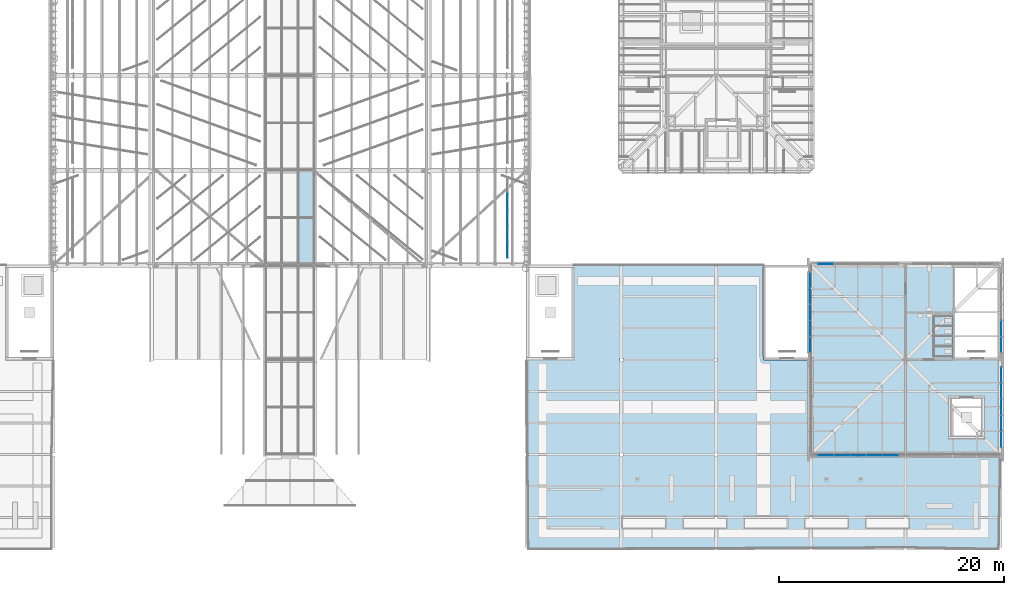
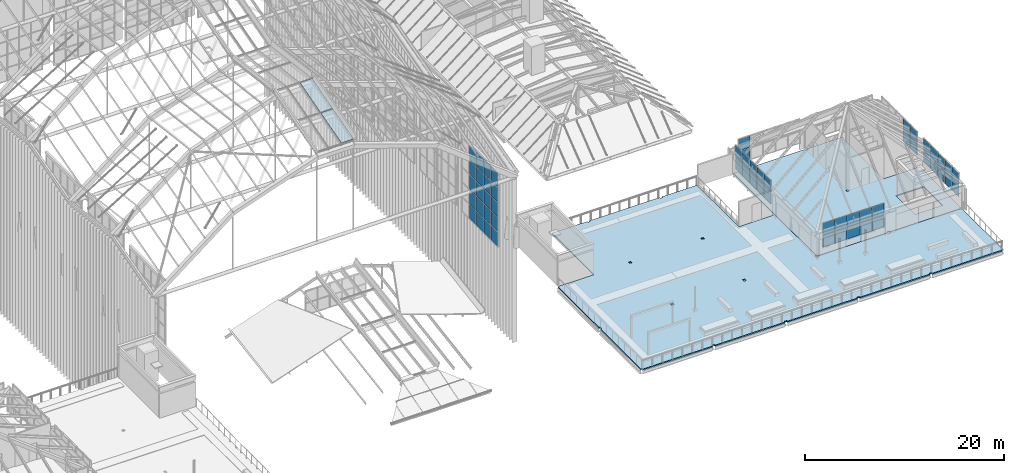
# One storey, part 73 of 126: 58 plates, 2 slabs, 6 elements without a shape of their own.
"""IFC4 building model written with IfcOpenShell, lengths in metres."""

from ifc_helpers import new_model, si_unit, direction, frame, origin, origin_2d, place, context, subcontext, project, spatial, polyline, rectangle, outline, extrude, material, layer, layer_set, type_object, element, aggregate, save


model = new_model("IFC4")

# Units and contexts
model_context = context("Model", 3, precision=1e-05, world=origin(), true_north=direction((0.0, 1.0)))
body_context = subcontext(model_context, "Body", "Model", "MODEL_VIEW")
ifc_project = project(units=[si_unit("LENGTHUNIT", "METRE"), si_unit("AREAUNIT", "SQUARE_METRE"), si_unit("VOLUMEUNIT", "CUBIC_METRE"), si_unit("PLANEANGLEUNIT", "RADIAN"), si_unit("MASSUNIT", "GRAM", prefix="KILO")], contexts=[model_context])

# Site, building, storey
site_placement = place(None, origin())
site = spatial("IfcSite", under=ifc_project, at=site_placement, CompositionType="ELEMENT")
building_placement = place(site_placement, origin())
building = spatial("IfcBuilding", under=site, at=building_placement, Name="Sava Quay Ferry Terminal", CompositionType="ELEMENT")
storey_placement = place(building_placement, frame((0.0, 0.0, 15.0)))
storey = spatial("IfcBuildingStorey", under=building, at=storey_placement, Name="L03", CompositionType="ELEMENT", Elevation=15.0)

# Slabs
ifc_material_1 = material(Name="Concrete C30/37", Category="concrete")
ifc_layer_1 = layer(ifc_material_1, 0.1298828125)
ifc_layer_set_1 = layer_set([ifc_layer_1], Name="Concrete C30/37")
slab_type_1 = type_object("IfcSlabType", Name="Composite floor slab 130", PredefinedType="FLOOR", material=ifc_layer_set_1)
slab_1_placement = place(storey_placement, frame((0.0, 0.0, -0.1298828125)))
element("IfcSlab", 1, at=slab_1_placement, inside=storey, type_object=slab_type_1, Name="P floor slab L03", PredefinedType="FLOOR", context=body_context, shape_type="SweptSolid", body=[
    extrude(outline(polyline([(125.860107421875, 33.739990234375), (125.860107421875, 33.60009765625), (117.739990234375, 33.60009765625), (117.739990234375, 33.739990234375), (117.4599609375, 33.739990234375), (117.4599609375, 33.60009765625), (109.340087890625, 33.60009765625), (109.340087890625, 33.739990234375), (109.199951171875, 33.739990234375), (109.199951171875, 42.0), (109.199951171875, 50.39990234375), (117.4599609375, 50.39990234375), (117.4599609375, 50.260009765625), (117.739990234375, 50.260009765625), (117.739990234375, 50.39990234375), (121.800048828125, 50.39990234375), (121.800048828125, 42.0), (126.0, 42.0), (126.0, 33.739990234375), (125.860107421875, 33.739990234375)]), holes=[polyline([(121.39990234375, 35.0), (124.60009765625, 35.0), (124.60009765625, 38.800048828125), (121.39990234375, 38.800048828125), (121.39990234375, 35.0)]), polyline([(117.4599609375, 41.860107421875), (117.739990234375, 41.860107421875), (117.739990234375, 42.139892578125), (117.4599609375, 42.139892578125), (117.4599609375, 41.860107421875)])]), origin(), (0.0, 0.0, 1.0), 0.1298828125),
])
ifc_material_2 = material(Name="Concrete C30/37", Category="concrete")
ifc_layer_2 = layer(ifc_material_2, 0.14990234375)
ifc_layer_set_2 = layer_set([ifc_layer_2], Name="Concrete C30/37")
slab_type_2 = type_object("IfcSlabType", Name="Composite terrace slab 150", PredefinedType="ROOF", material=ifc_layer_set_2)
slab_2_placement = place(storey_placement, frame((0.0, 0.0, -0.14990234375)))
element("IfcSlab", 2, at=slab_2_placement, inside=storey, type_object=slab_type_2, Name="TP terrace slab L03", PredefinedType="ROOF", context=body_context, shape_type="SweptSolid", body=[
    extrude(outline(polyline([(117.739990234375, 25.199951171875), (117.739990234375, 25.340087890625), (117.4599609375, 25.340087890625), (117.4599609375, 25.199951171875), (109.340087890625, 25.199951171875), (109.340087890625, 25.340087890625), (109.06005859375, 25.340087890625), (109.06005859375, 25.199951171875), (100.93994140625, 25.199951171875), (100.93994140625, 25.340087890625), (100.659912109375, 25.340087890625), (100.659912109375, 25.199951171875), (92.5400390625, 25.199951171875), (92.5400390625, 25.340087890625), (92.260009765625, 25.340087890625), (92.260009765625, 25.199951171875), (84.139892578125, 25.199951171875), (84.139892578125, 25.340087890625), (84.0, 25.340087890625), (84.0, 33.4599609375), (84.139892578125, 33.4599609375), (84.139892578125, 33.739990234375), (84.0, 33.739990234375), (84.0, 42.0), (88.199951171875, 42.0), (88.199951171875, 50.39990234375), (92.260009765625, 50.39990234375), (92.260009765625, 50.260009765625), (92.5400390625, 50.260009765625), (92.5400390625, 50.39990234375), (100.659912109375, 50.39990234375), (100.659912109375, 50.260009765625), (100.93994140625, 50.260009765625), (100.93994140625, 50.39990234375), (105.0, 50.39990234375), (105.0, 42.0), (109.199951171875, 42.0), (109.199951171875, 33.739990234375), (109.06005859375, 33.739990234375), (109.06005859375, 33.4599609375), (109.340087890625, 33.4599609375), (109.340087890625, 33.60009765625), (117.4599609375, 33.60009765625), (117.4599609375, 33.4599609375), (117.739990234375, 33.4599609375), (117.739990234375, 33.60009765625), (125.860107421875, 33.60009765625), (125.860107421875, 33.4599609375), (126.0, 33.4599609375), (126.0, 25.340087890625), (125.860107421875, 25.340087890625), (125.860107421875, 25.199951171875), (117.739990234375, 25.199951171875)]), holes=[polyline([(92.260009765625, 33.4599609375), (92.5400390625, 33.4599609375), (92.5400390625, 33.739990234375), (92.260009765625, 33.739990234375), (92.260009765625, 33.4599609375)]), polyline([(100.659912109375, 33.739990234375), (100.659912109375, 33.4599609375), (100.93994140625, 33.4599609375), (100.93994140625, 33.739990234375), (100.659912109375, 33.739990234375)]), polyline([(92.260009765625, 42.139892578125), (92.260009765625, 41.860107421875), (92.5400390625, 41.860107421875), (92.5400390625, 42.139892578125), (92.260009765625, 42.139892578125)]), polyline([(100.659912109375, 41.860107421875), (100.93994140625, 41.860107421875), (100.93994140625, 42.139892578125), (100.659912109375, 42.139892578125), (100.659912109375, 41.860107421875)])]), origin(), (0.0, 0.0, 1.0), 0.14990234375),
])

# Curtain wall, plates
ifc_material_3 = material(Name="Aluminium and glass curtain wall, double low-e glazed", Category="aluminium")
curtain_wall_type = type_object("IfcCurtainWallType", Name="Curtain wall CW-F flank", PredefinedType="NOTDEFINED", material=ifc_material_3)
curtain_wall_1_placement = place(storey_placement, origin())
curtain_wall_1 = element("IfcCurtainWall", 3, at=curtain_wall_1_placement, inside=storey, type_object=curtain_wall_type, Name="Curtain wall D-E L03 bay 1", PredefinedType="NOTDEFINED")
ifc_material_4 = material(Name="Laminated glass, double low-e glazed unit", Category="glass")
ifc_layer_3 = layer(ifc_material_4, 0.028076171875)
ifc_layer_set_3 = layer_set([ifc_layer_3], Name="Laminated glass, double low-e glazed unit")
plate_type_1 = type_object("IfcPlateType", Name="Glass panel 28 double low-e", PredefinedType="CURTAIN_PANEL", material=ifc_layer_set_3)
plate_1_placement = place(storey_placement, frame((82.27490234375, 51.735107421875, 0.050048828125), z_axis=(0.0, 0.0, 1.0), x_axis=(0.0, 1.0, 0.0)))
plate_1 = element("IfcPlate", 4, at=plate_1_placement, type_object=plate_type_1, Name="CW39 panel 1.1", PredefinedType="CURTAIN_PANEL", context=body_context, shape_type="SweptSolid", body=[
    extrude(rectangle(XDim=1.35009765625, YDim=0.028076171875, at=origin_2d()), origin(), (0.0, 0.0, 1.0), 1.7451171875),
])
plate_2_placement = place(storey_placement, frame((82.27490234375, 51.735107421875, 1.844970703125), z_axis=(0.0, 0.0, 1.0), x_axis=(0.0, 1.0, 0.0)))
plate_2 = element("IfcPlate", 5, at=plate_2_placement, type_object=plate_type_1, Name="CW39 panel 1.2", PredefinedType="CURTAIN_PANEL", context=body_context, shape_type="SweptSolid", body=[
    extrude(rectangle(XDim=1.35009765625, YDim=0.028076171875, at=origin_2d()), origin(), (0.0, 0.0, 1.0), 1.77001953125),
])
plate_3_placement = place(storey_placement, frame((82.27490234375, 51.735107421875, 3.6650390625), z_axis=(0.0, 0.0, 1.0), x_axis=(0.0, 1.0, 0.0)))
plate_3 = element("IfcPlate", 6, at=plate_3_placement, type_object=plate_type_1, Name="CW39 panel 1.3", PredefinedType="CURTAIN_PANEL", context=body_context, shape_type="SweptSolid", body=[
    extrude(rectangle(XDim=1.35009765625, YDim=0.028076171875, at=origin_2d()), origin(), (0.0, 0.0, 1.0), 1.77001953125),
])
plate_4_placement = place(storey_placement, frame((82.27490234375, 51.735107421875, 5.485107421875), z_axis=(0.0, 0.0, 1.0), x_axis=(0.0, 1.0, 0.0)))
plate_4 = element("IfcPlate", 7, at=plate_4_placement, type_object=plate_type_1, Name="CW39 panel 1.4", PredefinedType="CURTAIN_PANEL", context=body_context, shape_type="SweptSolid", body=[
    extrude(rectangle(XDim=1.35009765625, YDim=0.028076171875, at=origin_2d()), origin(), (0.0, 0.0, 1.0), 1.77001953125),
])
plate_5_placement = place(storey_placement, frame((82.27490234375, 51.735107421875, 7.304931640625), z_axis=(0.0, 0.0, 1.0), x_axis=(0.0, 1.0, 0.0)))
plate_5 = element("IfcPlate", 8, at=plate_5_placement, type_object=plate_type_1, Name="CW39 panel 1.5", PredefinedType="CURTAIN_PANEL", context=body_context, shape_type="SweptSolid", body=[
    extrude(rectangle(XDim=1.35009765625, YDim=0.028076171875, at=origin_2d()), origin(), (0.0, 0.0, 1.0), 1.7451171875),
])
plate_6_placement = place(storey_placement, frame((82.27490234375, 53.159912109375, 0.050048828125), z_axis=(0.0, 0.0, 1.0), x_axis=(0.0, 1.0, 0.0)))
plate_6 = element("IfcPlate", 9, at=plate_6_placement, type_object=plate_type_1, Name="CW39 panel 2.1", PredefinedType="CURTAIN_PANEL", context=body_context, shape_type="SweptSolid", body=[
    extrude(rectangle(XDim=1.3798828125, YDim=0.028076171875, at=origin_2d()), origin(), (0.0, 0.0, 1.0), 1.7451171875),
])
plate_7_placement = place(storey_placement, frame((82.27490234375, 53.159912109375, 1.844970703125), z_axis=(0.0, 0.0, 1.0), x_axis=(0.0, 1.0, 0.0)))
plate_7 = element("IfcPlate", 10, at=plate_7_placement, type_object=plate_type_1, Name="CW39 panel 2.2", PredefinedType="CURTAIN_PANEL", context=body_context, shape_type="SweptSolid", body=[
    extrude(rectangle(XDim=1.3798828125, YDim=0.028076171875, at=origin_2d()), origin(), (0.0, 0.0, 1.0), 1.77001953125),
])
plate_8_placement = place(storey_placement, frame((82.27490234375, 53.159912109375, 3.6650390625), z_axis=(0.0, 0.0, 1.0), x_axis=(0.0, 1.0, 0.0)))
plate_8 = element("IfcPlate", 11, at=plate_8_placement, type_object=plate_type_1, Name="CW39 panel 2.3", PredefinedType="CURTAIN_PANEL", context=body_context, shape_type="SweptSolid", body=[
    extrude(rectangle(XDim=1.3798828125, YDim=0.028076171875, at=origin_2d()), origin(), (0.0, 0.0, 1.0), 1.77001953125),
])
plate_9_placement = place(storey_placement, frame((82.27490234375, 53.159912109375, 5.485107421875), z_axis=(0.0, 0.0, 1.0), x_axis=(0.0, 1.0, 0.0)))
plate_9 = element("IfcPlate", 12, at=plate_9_placement, type_object=plate_type_1, Name="CW39 panel 2.4", PredefinedType="CURTAIN_PANEL", context=body_context, shape_type="SweptSolid", body=[
    extrude(rectangle(XDim=1.3798828125, YDim=0.028076171875, at=origin_2d()), origin(), (0.0, 0.0, 1.0), 1.77001953125),
])
plate_10_placement = place(storey_placement, frame((82.27490234375, 53.159912109375, 7.304931640625), z_axis=(0.0, 0.0, 1.0), x_axis=(0.0, 1.0, 0.0)))
plate_10 = element("IfcPlate", 13, at=plate_10_placement, type_object=plate_type_1, Name="CW39 panel 2.5", PredefinedType="CURTAIN_PANEL", context=body_context, shape_type="SweptSolid", body=[
    extrude(rectangle(XDim=1.3798828125, YDim=0.028076171875, at=origin_2d()), origin(), (0.0, 0.0, 1.0), 1.7451171875),
])
plate_11_placement = place(storey_placement, frame((82.27490234375, 54.60009765625, 0.050048828125), z_axis=(0.0, 0.0, 1.0), x_axis=(0.0, 1.0, 0.0)))
plate_11 = element("IfcPlate", 14, at=plate_11_placement, type_object=plate_type_1, Name="CW39 panel 3.1", PredefinedType="CURTAIN_PANEL", context=body_context, shape_type="SweptSolid", body=[
    extrude(rectangle(XDim=1.3798828125, YDim=0.028076171875, at=origin_2d()), origin(), (0.0, 0.0, 1.0), 1.7451171875),
])
plate_12_placement = place(storey_placement, frame((82.27490234375, 54.60009765625, 1.844970703125), z_axis=(0.0, 0.0, 1.0), x_axis=(0.0, 1.0, 0.0)))
plate_12 = element("IfcPlate", 15, at=plate_12_placement, type_object=plate_type_1, Name="CW39 panel 3.2", PredefinedType="CURTAIN_PANEL", context=body_context, shape_type="SweptSolid", body=[
    extrude(rectangle(XDim=1.3798828125, YDim=0.028076171875, at=origin_2d()), origin(), (0.0, 0.0, 1.0), 1.77001953125),
])
plate_13_placement = place(storey_placement, frame((82.27490234375, 54.60009765625, 3.6650390625), z_axis=(0.0, 0.0, 1.0), x_axis=(0.0, 1.0, 0.0)))
plate_13 = element("IfcPlate", 16, at=plate_13_placement, type_object=plate_type_1, Name="CW39 panel 3.3", PredefinedType="CURTAIN_PANEL", context=body_context, shape_type="SweptSolid", body=[
    extrude(rectangle(XDim=1.3798828125, YDim=0.028076171875, at=origin_2d()), origin(), (0.0, 0.0, 1.0), 1.77001953125),
])
plate_14_placement = place(storey_placement, frame((82.27490234375, 54.60009765625, 5.485107421875), z_axis=(0.0, 0.0, 1.0), x_axis=(0.0, 1.0, 0.0)))
plate_14 = element("IfcPlate", 17, at=plate_14_placement, type_object=plate_type_1, Name="CW39 panel 3.4", PredefinedType="CURTAIN_PANEL", context=body_context, shape_type="SweptSolid", body=[
    extrude(rectangle(XDim=1.3798828125, YDim=0.028076171875, at=origin_2d()), origin(), (0.0, 0.0, 1.0), 1.77001953125),
])
plate_15_placement = place(storey_placement, frame((82.27490234375, 54.60009765625, 7.304931640625), z_axis=(0.0, 0.0, 1.0), x_axis=(0.0, 1.0, 0.0)))
plate_15 = element("IfcPlate", 18, at=plate_15_placement, type_object=plate_type_1, Name="CW39 panel 3.5", PredefinedType="CURTAIN_PANEL", context=body_context, shape_type="SweptSolid", body=[
    extrude(rectangle(XDim=1.3798828125, YDim=0.028076171875, at=origin_2d()), origin(), (0.0, 0.0, 1.0), 1.7451171875),
])
plate_16_placement = place(storey_placement, frame((82.27490234375, 56.0400390625, 0.050048828125), z_axis=(0.0, 0.0, 1.0), x_axis=(0.0, 1.0, 0.0)))
plate_16 = element("IfcPlate", 19, at=plate_16_placement, type_object=plate_type_1, Name="CW39 panel 4.1", PredefinedType="CURTAIN_PANEL", context=body_context, shape_type="SweptSolid", body=[
    extrude(rectangle(XDim=1.3798828125, YDim=0.028076171875, at=origin_2d()), origin(), (0.0, 0.0, 1.0), 1.7451171875),
])
plate_17_placement = place(storey_placement, frame((82.27490234375, 56.0400390625, 1.844970703125), z_axis=(0.0, 0.0, 1.0), x_axis=(0.0, 1.0, 0.0)))
plate_17 = element("IfcPlate", 20, at=plate_17_placement, type_object=plate_type_1, Name="CW39 panel 4.2", PredefinedType="CURTAIN_PANEL", context=body_context, shape_type="SweptSolid", body=[
    extrude(rectangle(XDim=1.3798828125, YDim=0.028076171875, at=origin_2d()), origin(), (0.0, 0.0, 1.0), 1.77001953125),
])
plate_18_placement = place(storey_placement, frame((82.27490234375, 56.0400390625, 3.6650390625), z_axis=(0.0, 0.0, 1.0), x_axis=(0.0, 1.0, 0.0)))
plate_18 = element("IfcPlate", 21, at=plate_18_placement, type_object=plate_type_1, Name="CW39 panel 4.3", PredefinedType="CURTAIN_PANEL", context=body_context, shape_type="SweptSolid", body=[
    extrude(rectangle(XDim=1.3798828125, YDim=0.028076171875, at=origin_2d()), origin(), (0.0, 0.0, 1.0), 1.77001953125),
])
plate_19_placement = place(storey_placement, frame((82.27490234375, 56.0400390625, 5.485107421875), z_axis=(0.0, 0.0, 1.0), x_axis=(0.0, 1.0, 0.0)))
plate_19 = element("IfcPlate", 22, at=plate_19_placement, type_object=plate_type_1, Name="CW39 panel 4.4", PredefinedType="CURTAIN_PANEL", context=body_context, shape_type="SweptSolid", body=[
    extrude(rectangle(XDim=1.3798828125, YDim=0.028076171875, at=origin_2d()), origin(), (0.0, 0.0, 1.0), 1.77001953125),
])
plate_20_placement = place(storey_placement, frame((82.27490234375, 56.0400390625, 7.304931640625), z_axis=(0.0, 0.0, 1.0), x_axis=(0.0, 1.0, 0.0)))
plate_20 = element("IfcPlate", 23, at=plate_20_placement, type_object=plate_type_1, Name="CW39 panel 4.5", PredefinedType="CURTAIN_PANEL", context=body_context, shape_type="SweptSolid", body=[
    extrude(rectangle(XDim=1.3798828125, YDim=0.028076171875, at=origin_2d()), origin(), (0.0, 0.0, 1.0), 1.7451171875),
])
aggregate(curtain_wall_1, [plate_1, plate_2, plate_3, plate_4, plate_5, plate_6, plate_7, plate_8, plate_9, plate_10, plate_11, plate_12, plate_13, plate_14, plate_15, plate_16, plate_17, plate_18, plate_19, plate_20])

curtain_wall_2_placement = place(storey_placement, origin())
curtain_wall_2 = element("IfcCurtainWall", 24, at=curtain_wall_2_placement, inside=storey, type_object=curtain_wall_type, Name="Curtain wall P-PAV-E L03 bay 1", PredefinedType="NOTDEFINED")
plate_21_placement = place(storey_placement, frame((126.0849609375, 34.93505859375, 0.9501953125), z_axis=(0.0, 0.0, 1.0), x_axis=(0.0, 1.0, 0.0)))
plate_21 = element("IfcPlate", 25, at=plate_21_placement, type_object=plate_type_1, Name="CW113 panel 1.1", PredefinedType="CURTAIN_PANEL", context=body_context, shape_type="SweptSolid", body=[
    extrude(rectangle(XDim=1.35009765625, YDim=0.028076171875, at=origin_2d()), origin(), (0.0, 0.0, 1.0), 1.425048828125),
])
plate_22_placement = place(storey_placement, frame((126.0849609375, 34.93505859375, 2.4248046875), z_axis=(0.0, 0.0, 1.0), x_axis=(0.0, 1.0, 0.0)))
plate_22 = element("IfcPlate", 26, at=plate_22_placement, type_object=plate_type_1, Name="CW113 panel 1.2", PredefinedType="CURTAIN_PANEL", context=body_context, shape_type="SweptSolid", body=[
    extrude(rectangle(XDim=1.35009765625, YDim=0.028076171875, at=origin_2d()), origin(), (0.0, 0.0, 1.0), 1.425048828125),
])
plate_23_placement = place(storey_placement, frame((126.0849609375, 36.360107421875, 0.9501953125), z_axis=(0.0, 0.0, 1.0), x_axis=(0.0, 1.0, 0.0)))
plate_23 = element("IfcPlate", 27, at=plate_23_placement, type_object=plate_type_1, Name="CW113 panel 2.1", PredefinedType="CURTAIN_PANEL", context=body_context, shape_type="SweptSolid", body=[
    extrude(rectangle(XDim=1.3798828125, YDim=0.028076171875, at=origin_2d()), origin(), (0.0, 0.0, 1.0), 1.425048828125),
])
plate_24_placement = place(storey_placement, frame((126.0849609375, 36.360107421875, 2.4248046875), z_axis=(0.0, 0.0, 1.0), x_axis=(0.0, 1.0, 0.0)))
plate_24 = element("IfcPlate", 28, at=plate_24_placement, type_object=plate_type_1, Name="CW113 panel 2.2", PredefinedType="CURTAIN_PANEL", context=body_context, shape_type="SweptSolid", body=[
    extrude(rectangle(XDim=1.3798828125, YDim=0.028076171875, at=origin_2d()), origin(), (0.0, 0.0, 1.0), 1.425048828125),
])
plate_25_placement = place(storey_placement, frame((126.0849609375, 37.800048828125, 0.9501953125), z_axis=(0.0, 0.0, 1.0), x_axis=(0.0, 1.0, 0.0)))
plate_25 = element("IfcPlate", 29, at=plate_25_placement, type_object=plate_type_1, Name="CW113 panel 3.1", PredefinedType="CURTAIN_PANEL", context=body_context, shape_type="SweptSolid", body=[
    extrude(rectangle(XDim=1.3798828125, YDim=0.028076171875, at=origin_2d()), origin(), (0.0, 0.0, 1.0), 1.425048828125),
])
plate_26_placement = place(storey_placement, frame((126.0849609375, 37.800048828125, 2.4248046875), z_axis=(0.0, 0.0, 1.0), x_axis=(0.0, 1.0, 0.0)))
plate_26 = element("IfcPlate", 30, at=plate_26_placement, type_object=plate_type_1, Name="CW113 panel 3.2", PredefinedType="CURTAIN_PANEL", context=body_context, shape_type="SweptSolid", body=[
    extrude(rectangle(XDim=1.3798828125, YDim=0.028076171875, at=origin_2d()), origin(), (0.0, 0.0, 1.0), 1.425048828125),
])
plate_27_placement = place(storey_placement, frame((126.0849609375, 39.239990234375, 0.9501953125), z_axis=(0.0, 0.0, 1.0), x_axis=(0.0, 1.0, 0.0)))
plate_27 = element("IfcPlate", 31, at=plate_27_placement, type_object=plate_type_1, Name="CW113 panel 4.1", PredefinedType="CURTAIN_PANEL", context=body_context, shape_type="SweptSolid", body=[
    extrude(rectangle(XDim=1.3798828125, YDim=0.028076171875, at=origin_2d()), origin(), (0.0, 0.0, 1.0), 1.425048828125),
])
plate_28_placement = place(storey_placement, frame((126.0849609375, 39.239990234375, 2.4248046875), z_axis=(0.0, 0.0, 1.0), x_axis=(0.0, 1.0, 0.0)))
plate_28 = element("IfcPlate", 32, at=plate_28_placement, type_object=plate_type_1, Name="CW113 panel 4.2", PredefinedType="CURTAIN_PANEL", context=body_context, shape_type="SweptSolid", body=[
    extrude(rectangle(XDim=1.3798828125, YDim=0.028076171875, at=origin_2d()), origin(), (0.0, 0.0, 1.0), 1.425048828125),
])
plate_29_placement = place(storey_placement, frame((126.0849609375, 40.6650390625, 0.9501953125), z_axis=(0.0, 0.0, 1.0), x_axis=(0.0, 1.0, 0.0)))
plate_29 = element("IfcPlate", 33, at=plate_29_placement, type_object=plate_type_1, Name="CW113 panel 5.1", PredefinedType="CURTAIN_PANEL", context=body_context, shape_type="SweptSolid", body=[
    extrude(rectangle(XDim=1.35009765625, YDim=0.028076171875, at=origin_2d()), origin(), (0.0, 0.0, 1.0), 1.425048828125),
])
plate_30_placement = place(storey_placement, frame((126.0849609375, 40.6650390625, 2.4248046875), z_axis=(0.0, 0.0, 1.0), x_axis=(0.0, 1.0, 0.0)))
plate_30 = element("IfcPlate", 34, at=plate_30_placement, type_object=plate_type_1, Name="CW113 panel 5.2", PredefinedType="CURTAIN_PANEL", context=body_context, shape_type="SweptSolid", body=[
    extrude(rectangle(XDim=1.35009765625, YDim=0.028076171875, at=origin_2d()), origin(), (0.0, 0.0, 1.0), 1.425048828125),
])
aggregate(curtain_wall_2, [plate_21, plate_22, plate_23, plate_24, plate_25, plate_26, plate_27, plate_28, plate_29, plate_30])

curtain_wall_3_placement = place(storey_placement, origin())
curtain_wall_3 = element("IfcCurtainWall", 35, at=curtain_wall_3_placement, inside=storey, type_object=curtain_wall_type, Name="Curtain wall P-PAV-E L03 bay 2", PredefinedType="NOTDEFINED")
plate_31_placement = place(storey_placement, frame((126.0849609375, 43.3349609375, 0.9501953125), z_axis=(0.0, 0.0, 1.0), x_axis=(0.0, 1.0, 0.0)))
plate_31 = element("IfcPlate", 36, at=plate_31_placement, type_object=plate_type_1, Name="CW114 panel 1.1", PredefinedType="CURTAIN_PANEL", context=body_context, shape_type="SweptSolid", body=[
    extrude(rectangle(XDim=1.35009765625, YDim=0.028076171875, at=origin_2d()), origin(), (0.0, 0.0, 1.0), 1.425048828125),
])
plate_32_placement = place(storey_placement, frame((126.0849609375, 43.3349609375, 2.4248046875), z_axis=(0.0, 0.0, 1.0), x_axis=(0.0, 1.0, 0.0)))
plate_32 = element("IfcPlate", 37, at=plate_32_placement, type_object=plate_type_1, Name="CW114 panel 1.2", PredefinedType="CURTAIN_PANEL", context=body_context, shape_type="SweptSolid", body=[
    extrude(rectangle(XDim=1.35009765625, YDim=0.028076171875, at=origin_2d()), origin(), (0.0, 0.0, 1.0), 1.425048828125),
])
plate_33_placement = place(storey_placement, frame((126.0849609375, 44.760009765625, 0.9501953125), z_axis=(0.0, 0.0, 1.0), x_axis=(0.0, 1.0, 0.0)))
plate_33 = element("IfcPlate", 38, at=plate_33_placement, type_object=plate_type_1, Name="CW114 panel 2.1", PredefinedType="CURTAIN_PANEL", context=body_context, shape_type="SweptSolid", body=[
    extrude(rectangle(XDim=1.3798828125, YDim=0.028076171875, at=origin_2d()), origin(), (0.0, 0.0, 1.0), 1.425048828125),
])
plate_34_placement = place(storey_placement, frame((126.0849609375, 44.760009765625, 2.4248046875), z_axis=(0.0, 0.0, 1.0), x_axis=(0.0, 1.0, 0.0)))
plate_34 = element("IfcPlate", 39, at=plate_34_placement, type_object=plate_type_1, Name="CW114 panel 2.2", PredefinedType="CURTAIN_PANEL", context=body_context, shape_type="SweptSolid", body=[
    extrude(rectangle(XDim=1.3798828125, YDim=0.028076171875, at=origin_2d()), origin(), (0.0, 0.0, 1.0), 1.425048828125),
])
aggregate(curtain_wall_3, [plate_31, plate_32, plate_33, plate_34])

curtain_wall_4_placement = place(storey_placement, origin())
curtain_wall_4 = element("IfcCurtainWall", 40, at=curtain_wall_4_placement, inside=storey, type_object=curtain_wall_type, Name="Curtain wall P-PAV-N L03 bay 1", PredefinedType="NOTDEFINED")
plate_35_placement = place(storey_placement, frame((110.534912109375, 50.485107421875, 0.9501953125), z_axis=(0.0, 0.0, 1.0), x_axis=(1.0, 0.0, 0.0)))
plate_35 = element("IfcPlate", 41, at=plate_35_placement, type_object=plate_type_1, Name="CW115 panel 1.1", PredefinedType="CURTAIN_PANEL", context=body_context, shape_type="SweptSolid", body=[
    extrude(rectangle(XDim=1.35009765625, YDim=0.028076171875, at=origin_2d()), origin(), (0.0, 0.0, 1.0), 1.425048828125),
])
plate_36_placement = place(storey_placement, frame((110.534912109375, 50.485107421875, 2.4248046875), z_axis=(0.0, 0.0, 1.0), x_axis=(1.0, 0.0, 0.0)))
plate_36 = element("IfcPlate", 42, at=plate_36_placement, type_object=plate_type_1, Name="CW115 panel 1.2", PredefinedType="CURTAIN_PANEL", context=body_context, shape_type="SweptSolid", body=[
    extrude(rectangle(XDim=1.35009765625, YDim=0.028076171875, at=origin_2d()), origin(), (0.0, 0.0, 1.0), 1.425048828125),
])
aggregate(curtain_wall_4, [plate_35, plate_36])

curtain_wall_5_placement = place(storey_placement, origin())
curtain_wall_5 = element("IfcCurtainWall", 43, at=curtain_wall_5_placement, inside=storey, type_object=curtain_wall_type, Name="Curtain wall P-PAV-S L03 bay 1", PredefinedType="NOTDEFINED")
plate_37_placement = place(storey_placement, frame((110.534912109375, 33.514892578125, 0.9501953125), z_axis=(0.0, 0.0, 1.0), x_axis=(1.0, 0.0, 0.0)))
plate_37 = element("IfcPlate", 44, at=plate_37_placement, type_object=plate_type_1, Name="CW117 panel 1.1", PredefinedType="CURTAIN_PANEL", context=body_context, shape_type="SweptSolid", body=[
    extrude(rectangle(XDim=1.35009765625, YDim=0.028076171875, at=origin_2d()), origin(), (0.0, 0.0, 1.0), 1.425048828125),
])
plate_38_placement = place(storey_placement, frame((110.534912109375, 33.514892578125, 2.4248046875), z_axis=(0.0, 0.0, 1.0), x_axis=(1.0, 0.0, 0.0)))
plate_38 = element("IfcPlate", 45, at=plate_38_placement, type_object=plate_type_1, Name="CW117 panel 1.2", PredefinedType="CURTAIN_PANEL", context=body_context, shape_type="SweptSolid", body=[
    extrude(rectangle(XDim=1.35009765625, YDim=0.028076171875, at=origin_2d()), origin(), (0.0, 0.0, 1.0), 1.425048828125),
])
plate_39_placement = place(storey_placement, frame((111.9599609375, 33.514892578125, 0.9501953125), z_axis=(0.0, 0.0, 1.0), x_axis=(1.0, 0.0, 0.0)))
plate_39 = element("IfcPlate", 46, at=plate_39_placement, type_object=plate_type_1, Name="CW117 panel 2.1", PredefinedType="CURTAIN_PANEL", context=body_context, shape_type="SweptSolid", body=[
    extrude(rectangle(XDim=1.3798828125, YDim=0.028076171875, at=origin_2d()), origin(), (0.0, 0.0, 1.0), 1.425048828125),
])
plate_40_placement = place(storey_placement, frame((111.9599609375, 33.514892578125, 2.4248046875), z_axis=(0.0, 0.0, 1.0), x_axis=(1.0, 0.0, 0.0)))
plate_40 = element("IfcPlate", 47, at=plate_40_placement, type_object=plate_type_1, Name="CW117 panel 2.2", PredefinedType="CURTAIN_PANEL", context=body_context, shape_type="SweptSolid", body=[
    extrude(rectangle(XDim=1.3798828125, YDim=0.028076171875, at=origin_2d()), origin(), (0.0, 0.0, 1.0), 1.425048828125),
])
plate_41_placement = place(storey_placement, frame((113.39990234375, 33.514892578125, 0.9501953125), z_axis=(0.0, 0.0, 1.0), x_axis=(1.0, 0.0, 0.0)))
plate_41 = element("IfcPlate", 48, at=plate_41_placement, type_object=plate_type_1, Name="CW117 panel 3.1", PredefinedType="CURTAIN_PANEL", context=body_context, shape_type="SweptSolid", body=[
    extrude(rectangle(XDim=1.3798828125, YDim=0.028076171875, at=origin_2d()), origin(), (0.0, 0.0, 1.0), 1.425048828125),
])
plate_42_placement = place(storey_placement, frame((113.39990234375, 33.514892578125, 2.4248046875), z_axis=(0.0, 0.0, 1.0), x_axis=(1.0, 0.0, 0.0)))
plate_42 = element("IfcPlate", 49, at=plate_42_placement, type_object=plate_type_1, Name="CW117 panel 3.2", PredefinedType="CURTAIN_PANEL", context=body_context, shape_type="SweptSolid", body=[
    extrude(rectangle(XDim=1.3798828125, YDim=0.028076171875, at=origin_2d()), origin(), (0.0, 0.0, 1.0), 1.425048828125),
])
plate_43_placement = place(storey_placement, frame((114.840087890625, 33.514892578125, 0.9501953125), z_axis=(0.0, 0.0, 1.0), x_axis=(1.0, 0.0, 0.0)))
plate_43 = element("IfcPlate", 50, at=plate_43_placement, type_object=plate_type_1, Name="CW117 panel 4.1", PredefinedType="CURTAIN_PANEL", context=body_context, shape_type="SweptSolid", body=[
    extrude(rectangle(XDim=1.3798828125, YDim=0.028076171875, at=origin_2d()), origin(), (0.0, 0.0, 1.0), 1.425048828125),
])
plate_44_placement = place(storey_placement, frame((114.840087890625, 33.514892578125, 2.4248046875), z_axis=(0.0, 0.0, 1.0), x_axis=(1.0, 0.0, 0.0)))
plate_44 = element("IfcPlate", 51, at=plate_44_placement, type_object=plate_type_1, Name="CW117 panel 4.2", PredefinedType="CURTAIN_PANEL", context=body_context, shape_type="SweptSolid", body=[
    extrude(rectangle(XDim=1.3798828125, YDim=0.028076171875, at=origin_2d()), origin(), (0.0, 0.0, 1.0), 1.425048828125),
])
plate_45_placement = place(storey_placement, frame((116.264892578125, 33.514892578125, 0.9501953125), z_axis=(0.0, 0.0, 1.0), x_axis=(1.0, 0.0, 0.0)))
plate_45 = element("IfcPlate", 52, at=plate_45_placement, type_object=plate_type_1, Name="CW117 panel 5.1", PredefinedType="CURTAIN_PANEL", context=body_context, shape_type="SweptSolid", body=[
    extrude(rectangle(XDim=1.35009765625, YDim=0.028076171875, at=origin_2d()), origin(), (0.0, 0.0, 1.0), 1.425048828125),
])
plate_46_placement = place(storey_placement, frame((116.264892578125, 33.514892578125, 2.4248046875), z_axis=(0.0, 0.0, 1.0), x_axis=(1.0, 0.0, 0.0)))
plate_46 = element("IfcPlate", 53, at=plate_46_placement, type_object=plate_type_1, Name="CW117 panel 5.2", PredefinedType="CURTAIN_PANEL", context=body_context, shape_type="SweptSolid", body=[
    extrude(rectangle(XDim=1.35009765625, YDim=0.028076171875, at=origin_2d()), origin(), (0.0, 0.0, 1.0), 1.425048828125),
])
aggregate(curtain_wall_5, [plate_37, plate_38, plate_39, plate_40, plate_41, plate_42, plate_43, plate_44, plate_45, plate_46])

curtain_wall_6_placement = place(storey_placement, origin())
curtain_wall_6 = element("IfcCurtainWall", 54, at=curtain_wall_6_placement, inside=storey, type_object=curtain_wall_type, Name="Curtain wall P-PAV-W L03 bay 2", PredefinedType="NOTDEFINED")
plate_47_placement = place(storey_placement, frame((109.114990234375, 43.3349609375, 0.9501953125), z_axis=(0.0, 0.0, 1.0), x_axis=(0.0, 1.0, 0.0)))
plate_47 = element("IfcPlate", 55, at=plate_47_placement, type_object=plate_type_1, Name="CW118 panel 1.1", PredefinedType="CURTAIN_PANEL", context=body_context, shape_type="SweptSolid", body=[
    extrude(rectangle(XDim=1.35009765625, YDim=0.028076171875, at=origin_2d()), origin(), (0.0, 0.0, 1.0), 1.425048828125),
])
plate_48_placement = place(storey_placement, frame((109.114990234375, 43.3349609375, 2.4248046875), z_axis=(0.0, 0.0, 1.0), x_axis=(0.0, 1.0, 0.0)))
plate_48 = element("IfcPlate", 56, at=plate_48_placement, type_object=plate_type_1, Name="CW118 panel 1.2", PredefinedType="CURTAIN_PANEL", context=body_context, shape_type="SweptSolid", body=[
    extrude(rectangle(XDim=1.35009765625, YDim=0.028076171875, at=origin_2d()), origin(), (0.0, 0.0, 1.0), 1.425048828125),
])
plate_49_placement = place(storey_placement, frame((109.114990234375, 44.760009765625, 0.9501953125), z_axis=(0.0, 0.0, 1.0), x_axis=(0.0, 1.0, 0.0)))
plate_49 = element("IfcPlate", 57, at=plate_49_placement, type_object=plate_type_1, Name="CW118 panel 2.1", PredefinedType="CURTAIN_PANEL", context=body_context, shape_type="SweptSolid", body=[
    extrude(rectangle(XDim=1.3798828125, YDim=0.028076171875, at=origin_2d()), origin(), (0.0, 0.0, 1.0), 1.425048828125),
])
plate_50_placement = place(storey_placement, frame((109.114990234375, 44.760009765625, 2.4248046875), z_axis=(0.0, 0.0, 1.0), x_axis=(0.0, 1.0, 0.0)))
plate_50 = element("IfcPlate", 58, at=plate_50_placement, type_object=plate_type_1, Name="CW118 panel 2.2", PredefinedType="CURTAIN_PANEL", context=body_context, shape_type="SweptSolid", body=[
    extrude(rectangle(XDim=1.3798828125, YDim=0.028076171875, at=origin_2d()), origin(), (0.0, 0.0, 1.0), 1.425048828125),
])
plate_51_placement = place(storey_placement, frame((109.114990234375, 46.199951171875, 0.9501953125), z_axis=(0.0, 0.0, 1.0), x_axis=(0.0, 1.0, 0.0)))
plate_51 = element("IfcPlate", 59, at=plate_51_placement, type_object=plate_type_1, Name="CW118 panel 3.1", PredefinedType="CURTAIN_PANEL", context=body_context, shape_type="SweptSolid", body=[
    extrude(rectangle(XDim=1.3798828125, YDim=0.028076171875, at=origin_2d()), origin(), (0.0, 0.0, 1.0), 1.425048828125),
])
plate_52_placement = place(storey_placement, frame((109.114990234375, 46.199951171875, 2.4248046875), z_axis=(0.0, 0.0, 1.0), x_axis=(0.0, 1.0, 0.0)))
plate_52 = element("IfcPlate", 60, at=plate_52_placement, type_object=plate_type_1, Name="CW118 panel 3.2", PredefinedType="CURTAIN_PANEL", context=body_context, shape_type="SweptSolid", body=[
    extrude(rectangle(XDim=1.3798828125, YDim=0.028076171875, at=origin_2d()), origin(), (0.0, 0.0, 1.0), 1.425048828125),
])
plate_53_placement = place(storey_placement, frame((109.114990234375, 47.639892578125, 0.9501953125), z_axis=(0.0, 0.0, 1.0), x_axis=(0.0, 1.0, 0.0)))
plate_53 = element("IfcPlate", 61, at=plate_53_placement, type_object=plate_type_1, Name="CW118 panel 4.1", PredefinedType="CURTAIN_PANEL", context=body_context, shape_type="SweptSolid", body=[
    extrude(rectangle(XDim=1.3798828125, YDim=0.028076171875, at=origin_2d()), origin(), (0.0, 0.0, 1.0), 1.425048828125),
])
plate_54_placement = place(storey_placement, frame((109.114990234375, 47.639892578125, 2.4248046875), z_axis=(0.0, 0.0, 1.0), x_axis=(0.0, 1.0, 0.0)))
plate_54 = element("IfcPlate", 62, at=plate_54_placement, type_object=plate_type_1, Name="CW118 panel 4.2", PredefinedType="CURTAIN_PANEL", context=body_context, shape_type="SweptSolid", body=[
    extrude(rectangle(XDim=1.3798828125, YDim=0.028076171875, at=origin_2d()), origin(), (0.0, 0.0, 1.0), 1.425048828125),
])
plate_55_placement = place(storey_placement, frame((109.114990234375, 49.06494140625, 0.9501953125), z_axis=(0.0, 0.0, 1.0), x_axis=(0.0, 1.0, 0.0)))
plate_55 = element("IfcPlate", 63, at=plate_55_placement, type_object=plate_type_1, Name="CW118 panel 5.1", PredefinedType="CURTAIN_PANEL", context=body_context, shape_type="SweptSolid", body=[
    extrude(rectangle(XDim=1.35009765625, YDim=0.028076171875, at=origin_2d()), origin(), (0.0, 0.0, 1.0), 1.425048828125),
])
plate_56_placement = place(storey_placement, frame((109.114990234375, 49.06494140625, 2.4248046875), z_axis=(0.0, 0.0, 1.0), x_axis=(0.0, 1.0, 0.0)))
plate_56 = element("IfcPlate", 64, at=plate_56_placement, type_object=plate_type_1, Name="CW118 panel 5.2", PredefinedType="CURTAIN_PANEL", context=body_context, shape_type="SweptSolid", body=[
    extrude(rectangle(XDim=1.35009765625, YDim=0.028076171875, at=origin_2d()), origin(), (0.0, 0.0, 1.0), 1.425048828125),
])
aggregate(curtain_wall_6, [plate_47, plate_48, plate_49, plate_50, plate_51, plate_52, plate_53, plate_54, plate_55, plate_56])

# Plates
ifc_material_5 = material(Name="Laminated glass", Category="glass")
ifc_layer_4 = layer(ifc_material_5, 0.0400390625)
ifc_layer_set_4 = layer_set([ifc_layer_4], Name="Laminated glass")
plate_type_2 = type_object("IfcPlateType", Name="Skylight glass 40", PredefinedType="SHEET", material=ifc_layer_set_4)
plate_57_placement = place(storey_placement, frame((63.756103515625, 50.419921875, 19.5986328125), z_axis=(0.0, -0.27014336509, 0.962820109002), x_axis=(0.0, 0.962820109002, 0.27014336509)))
element("IfcPlate", 65, at=plate_57_placement, inside=storey, type_object=plate_type_2, Name="Departure hall skylight glass D-B0-F2-K20", PredefinedType="SHEET", context=body_context, shape_type="SweptSolid", body=[
    extrude(outline(polyline([(0.0, 0.0), (4.320803243623667, 0.0), (4.320803243623667, -1.43212890625), (0.0, -1.43212890625), (0.0, 0.0)])), origin(), (0.0, 0.0, -1.0), 0.0400390625),
])
plate_58_placement = place(storey_placement, frame((63.756103515625, 54.6201171875, 20.777099609375), z_axis=(0.0, -0.270210443642, 0.962801285908), x_axis=(0.0, 0.962801285908, 0.270210443642)))
element("IfcPlate", 66, at=plate_58_placement, inside=storey, type_object=plate_type_2, Name="Departure hall skylight glass D-B0-F2-K21", PredefinedType="SHEET", context=body_context, shape_type="SweptSolid", body=[
    extrude(outline(polyline([(0.0, 0.0), (4.32063414357632, 0.0), (4.32063414357632, -1.43212890625), (0.0, -1.43212890625), (0.0, 0.0)])), origin(), (0.0, 0.0, -1.0), 0.0400390625),
])

save(model, "model.ifc")
